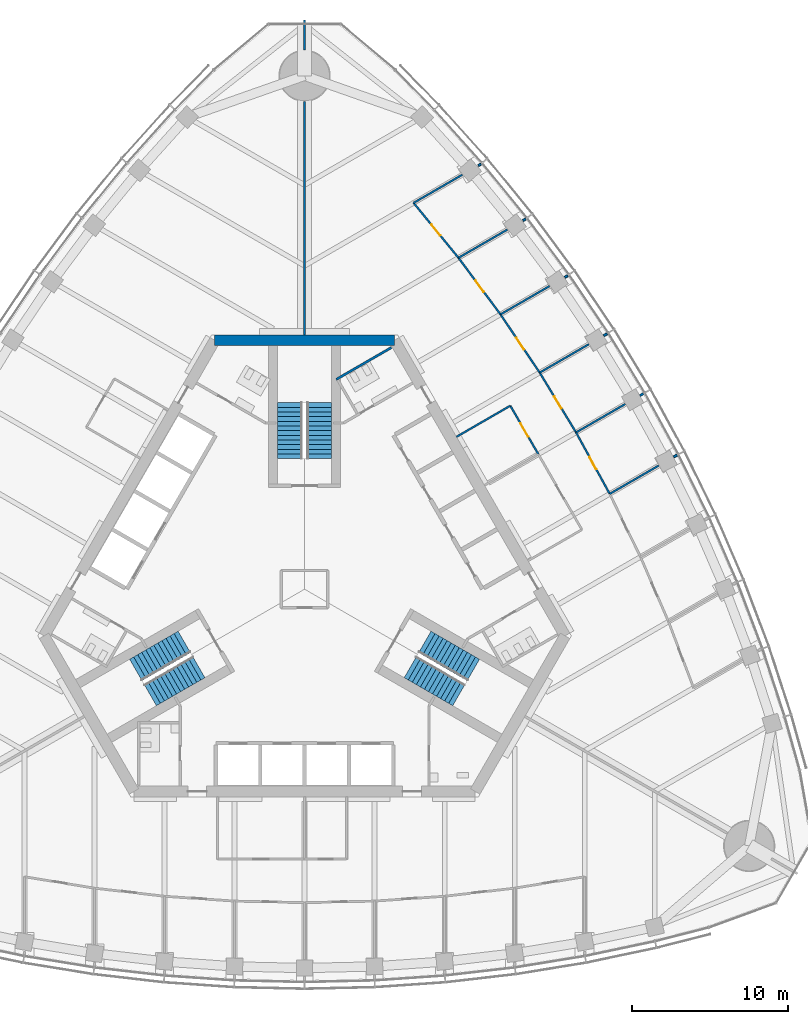
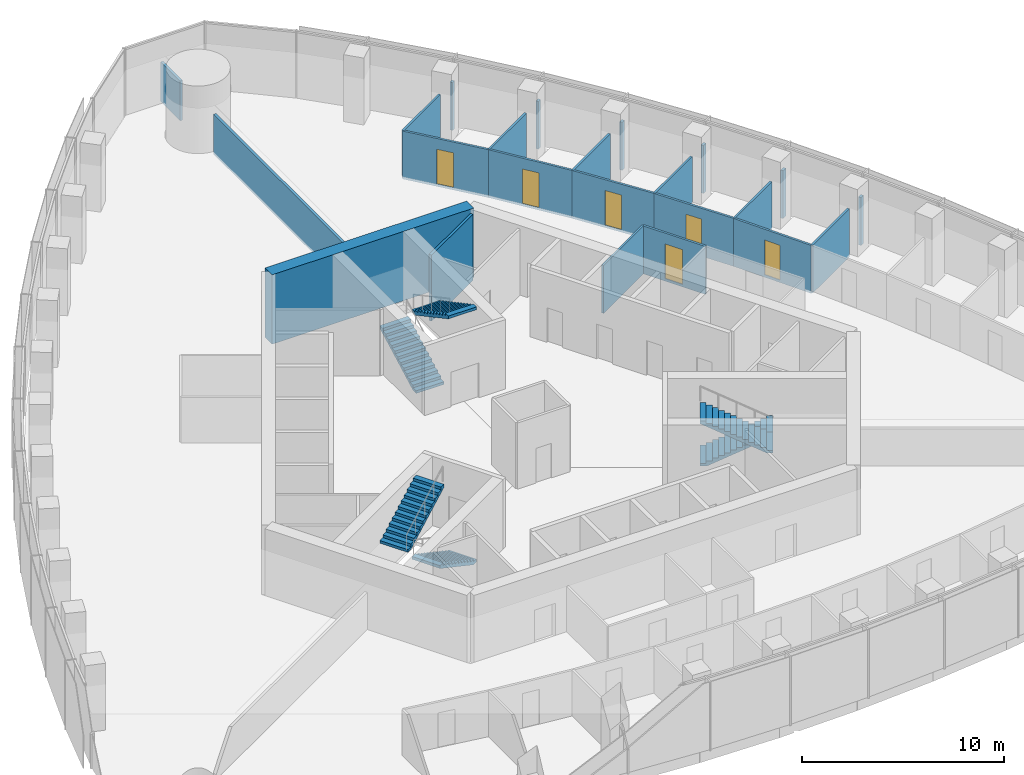
# One storey, part 14 of 19: 23 walls, 6 doors, 6 stair flights, 6 openings, 3 elements without a shape of their own.
"""IFC4 building model written with IfcOpenShell, lengths in metres."""

from ifc_helpers import new_model, si_unit, direction, frame, frame_2d, origin, place, context, subcontext, project, spatial, polyline, rectangle, outline, extrude, material, layer, layer_set, type_object, element, fill, aggregate, save


model = new_model("IFC4")

# Units and contexts
model_context = context("Model", 3, precision=1e-05, world=origin(), true_north=direction((0.0, 1.0)))
body_context = subcontext(model_context, "Body", "Model", "MODEL_VIEW")
ifc_project = project(units=[si_unit("LENGTHUNIT", "METRE"), si_unit("AREAUNIT", "SQUARE_METRE"), si_unit("VOLUMEUNIT", "CUBIC_METRE"), si_unit("PLANEANGLEUNIT", "RADIAN"), si_unit("MASSUNIT", "GRAM", prefix="KILO")], contexts=[model_context])

# Site, building, storey
site_placement = place(None, origin())
site = spatial("IfcSite", under=ifc_project, at=site_placement, CompositionType="ELEMENT")
building_placement = place(site_placement, origin())
building = spatial("IfcBuilding", under=site, at=building_placement, Name="Trefoil Bronze Tower", CompositionType="ELEMENT")
storey_placement = place(building_placement, frame((0.0, 0.0, 235.89990234375)))
storey = spatial("IfcBuildingStorey", under=building, at=storey_placement, Name="L54", CompositionType="ELEMENT", Elevation=235.89990234375)

# Wall
ifc_material_1 = material(Name="Concrete B80", Category="concrete")
ifc_layer_1 = layer(ifc_material_1, 0.699951171875)
ifc_layer_set_1 = layer_set([ifc_layer_1], Name="Core wall 700")
wall_type_1 = type_object("IfcWallType", Name="Core wall 700", PredefinedType="SHEAR", material=ifc_layer_set_1)
wall_1_placement = place(storey_placement, frame((5.7734375, 16.0, 0.0), z_axis=(0.0, 0.0, 1.0), x_axis=(-1.0, 0.0, 0.0)))
element("IfcWall", 1, at=wall_1_placement, inside=storey, type_object=wall_type_1, Name="Core short wall 2 L54", PredefinedType="SHEAR", context=body_context, shape_type="SweptSolid", body=[
    extrude(rectangle(XDim=11.546875, YDim=0.699951171875, at=frame_2d((5.7734375, 0.0))), origin(), (0.0, 0.0, 1.0), 4.2001953125),
])

# Wall, opening, door
ifc_material_2 = material(Name="Glazed partition", Category="glass")
ifc_layer_2 = layer(ifc_material_2, 0.1201171875)
ifc_layer_set_2 = layer_set([ifc_layer_2], Name="Glazed partition 120")
wall_type_2 = type_object("IfcWallType", Name="Glazed partition 120", PredefinedType="PARTITIONING", material=ifc_layer_set_2)
wall_2_placement = place(storey_placement, frame((15.025634765625, 8.675048828125, 0.0), z_axis=(0.0, 0.0, 1.0), x_axis=(-0.500012057535, 0.866018442252, 0.0)))
wall_2 = element("IfcWall", 2, at=wall_2_placement, inside=storey, type_object=wall_type_2, Name="Partition F2 L54", PredefinedType="PARTITIONING", context=body_context, shape_type="SweptSolid", body=[
    extrude(rectangle(XDim=3.60009765625, YDim=0.1201171875, at=frame_2d((1.800048828125, 0.0))), origin(), (0.0, 0.0, 1.0), 2.900146484375),
])
opening_1_placement = place(wall_2_placement, frame((1.300048828125, 0.0, 0.14990234375)))
opening_1 = element("IfcOpeningElement", 3, at=opening_1_placement, cuts=wall_2, Name="Opening D9", PredefinedType="OPENING", context=body_context, shape_type="SweptSolid", body=[
    extrude(rectangle(XDim=1.0, YDim=2.10009765625, at=frame_2d((0.5, 1.050048828125))), frame((0.0, 0.070068359375, 0.0), z_axis=(0.0, -1.0, 0.0), x_axis=(1.0, 0.0, 0.0)), (0.0, 0.0, 1.0), 0.14013671875),
])
ifc_material_3 = material(Name="Glazed timber door", Category="wood")
door_type_1 = type_object("IfcDoorType", Name="Meeting room door 1000", OperationType="SINGLE_SWING_LEFT", PredefinedType="DOOR", material=ifc_material_3)
door_1_placement = place(opening_1_placement, origin())
door_1 = element("IfcDoor", 4, at=door_1_placement, inside=storey, type_object=door_type_1, Name="Meeting room door F2 L54", OperationType="SINGLE_SWING_LEFT", OverallHeight=2.10009765625, OverallWidth=1.0, PredefinedType="DOOR", context=body_context, shape_type="SweptSolid", body=[
    extrude(rectangle(XDim=1.0, YDim=2.10009765625, at=frame_2d((0.5, 1.050048828125))), frame((0.0, 0.02490234375, 0.0), z_axis=(0.0, -1.0, 0.0), x_axis=(1.0, 0.0, 0.0)), (0.0, 0.0, 1.0), 0.050048828125),
])
fill(opening_1, door_1)

# Wall
wall_3_placement = place(storey_placement, frame((9.761474609375, 9.792724609375, 0.0), z_axis=(0.0, 0.0, 1.0), x_axis=(0.866026010844, 0.49999894854, 0.0)))
element("IfcWall", 5, at=wall_3_placement, inside=storey, type_object=wall_type_2, Name="Partition F2 L54", PredefinedType="PARTITIONING", context=body_context, shape_type="SweptSolid", body=[
    extrude(rectangle(XDim=4.0, YDim=0.1201171875, at=frame_2d((2.0, 0.0))), origin(), (0.0, 0.0, 1.0), 2.900146484375),
])

# Wall, opening, door
wall_4_placement = place(storey_placement, frame((17.450927734375, 10.075439453125, 0.0), z_axis=(0.0, 0.0, 1.0), x_axis=(-0.519790350351, 0.85429385558, 0.0)))
wall_4 = element("IfcWall", 6, at=wall_4_placement, inside=storey, type_object=wall_type_2, Name="Partition F2 L54", PredefinedType="PARTITIONING", context=body_context, shape_type="SweptSolid", body=[
    extrude(rectangle(XDim=4.5009765625, YDim=0.1201171875, at=frame_2d((2.25048828125, 0.0))), origin(), (0.0, 0.0, 1.0), 2.900146484375),
])
opening_2_placement = place(wall_4_placement, frame((1.800048828125, 0.0, 0.14990234375)))
opening_2 = element("IfcOpeningElement", 7, at=opening_2_placement, cuts=wall_4, Name="Opening D8", PredefinedType="OPENING", context=body_context, shape_type="SweptSolid", body=[
    extrude(rectangle(XDim=0.89990234375, YDim=2.10009765625, at=frame_2d((0.449951171875, 1.050048828125))), frame((0.0, 0.070068359375, 0.0), z_axis=(0.0, -1.0, 0.0), x_axis=(1.0, 0.0, 0.0)), (0.0, 0.0, 1.0), 0.14013671875),
])
ifc_material_4 = material(Name="Timber door", Category="wood")
door_type_2 = type_object("IfcDoorType", Name="Office door 900", OperationType="SINGLE_SWING_LEFT", PredefinedType="DOOR", material=ifc_material_4)
door_2_placement = place(opening_2_placement, frame((0.89990234375, 0.0, 0.0), z_axis=(0.0, 0.0, 1.0), x_axis=(-1.0, 0.0, 0.0)))
door_2 = element("IfcDoor", 8, at=door_2_placement, inside=storey, type_object=door_type_2, Name="Office door F2 L54", OperationType="SINGLE_SWING_RIGHT", OverallHeight=2.10009765625, OverallWidth=0.89990234375, PredefinedType="DOOR", context=body_context, shape_type="SweptSolid", body=[
    extrude(rectangle(XDim=0.89990234375, YDim=2.10009765625, at=frame_2d((0.449951171875, 1.050048828125))), frame((0.0, 0.02490234375, 0.0), z_axis=(0.0, -1.0, 0.0), x_axis=(1.0, 0.0, 0.0)), (0.0, 0.0, 1.0), 0.050048828125),
])
fill(opening_2, door_2)

wall_5_placement = place(storey_placement, frame((9.8916015625, 21.29931640625, 0.0), z_axis=(0.0, 0.0, 1.0), x_axis=(-0.632765292047, 0.774343647989, 0.0)))
wall_5 = element("IfcWall", 9, at=wall_5_placement, inside=storey, type_object=wall_type_2, Name="Partition F2 L54", PredefinedType="PARTITIONING", context=body_context, shape_type="SweptSolid", body=[
    extrude(rectangle(XDim=4.559326171875, YDim=0.1201171875, at=frame_2d((2.27978515625, 0.0))), origin(), (0.0, 0.0, 1.0), 2.900146484375),
])
opening_3_placement = place(wall_5_placement, frame((1.85009765625, 0.0, 0.14990234375)))
opening_3 = element("IfcOpeningElement", 10, at=opening_3_placement, cuts=wall_5, Name="Opening D8", PredefinedType="OPENING", context=body_context, shape_type="SweptSolid", body=[
    extrude(rectangle(XDim=0.89990234375, YDim=2.10009765625, at=frame_2d((0.449951171875, 1.050048828125))), frame((0.0, 0.070068359375, 0.0), z_axis=(0.0, -1.0, 0.0), x_axis=(1.0, 0.0, 0.0)), (0.0, 0.0, 1.0), 0.14013671875),
])
door_3_placement = place(opening_3_placement, frame((0.89990234375, 0.0, 0.0), z_axis=(0.0, 0.0, 1.0), x_axis=(-1.0, 0.0, 0.0)))
door_3 = element("IfcDoor", 11, at=door_3_placement, inside=storey, type_object=door_type_2, Name="Office door F2 L54", OperationType="SINGLE_SWING_LEFT", OverallHeight=2.10009765625, OverallWidth=0.89990234375, PredefinedType="DOOR", context=body_context, shape_type="SweptSolid", body=[
    extrude(rectangle(XDim=0.89990234375, YDim=2.10009765625, at=frame_2d((0.449951171875, 1.050048828125))), frame((0.0, 0.02490234375, 0.0), z_axis=(0.0, -1.0, 0.0), x_axis=(1.0, 0.0, 0.0)), (0.0, 0.0, 1.0), 0.050048828125),
])
fill(opening_3, door_3)

wall_6_placement = place(storey_placement, frame((15.111328125, 13.920654296875, 0.0), z_axis=(0.0, 0.0, 1.0), x_axis=(-0.558466624917, 0.829526991034, 0.0)))
wall_6 = element("IfcWall", 12, at=wall_6_placement, inside=storey, type_object=wall_type_2, Name="Partition F2 L54", PredefinedType="PARTITIONING", context=body_context, shape_type="SweptSolid", body=[
    extrude(rectangle(XDim=4.5107421875, YDim=0.1201171875, at=frame_2d((2.25537109375, 0.0))), origin(), (0.0, 0.0, 1.0), 2.900146484375),
])
opening_4_placement = place(wall_6_placement, frame((1.800048828125, 0.0, 0.14990234375)))
opening_4 = element("IfcOpeningElement", 13, at=opening_4_placement, cuts=wall_6, Name="Opening D8", PredefinedType="OPENING", context=body_context, shape_type="SweptSolid", body=[
    extrude(rectangle(XDim=0.89990234375, YDim=2.10009765625, at=frame_2d((0.449951171875, 1.050048828125))), frame((0.0, 0.070068359375, 0.0), z_axis=(0.0, -1.0, 0.0), x_axis=(1.0, 0.0, 0.0)), (0.0, 0.0, 1.0), 0.14013671875),
])
door_4_placement = place(opening_4_placement, frame((0.89990234375, 0.0, 0.0), z_axis=(0.0, 0.0, 1.0), x_axis=(-1.0, 0.0, 0.0)))
door_4 = element("IfcDoor", 14, at=door_4_placement, inside=storey, type_object=door_type_2, Name="Office door F2 L54", OperationType="SINGLE_SWING_RIGHT", OverallHeight=2.10009765625, OverallWidth=0.89990234375, PredefinedType="DOOR", context=body_context, shape_type="SweptSolid", body=[
    extrude(rectangle(XDim=0.89990234375, YDim=2.10009765625, at=frame_2d((0.449951171875, 1.050048828125))), frame((0.0, 0.02490234375, 0.0), z_axis=(0.0, -1.0, 0.0), x_axis=(1.0, 0.0, 0.0)), (0.0, 0.0, 1.0), 0.050048828125),
])
fill(opening_4, door_4)

wall_7_placement = place(storey_placement, frame((12.59228515625, 17.662353515625, 0.0), z_axis=(0.0, 0.0, 1.0), x_axis=(-0.596173167565, 0.802855873912, 0.0)))
wall_7 = element("IfcWall", 15, at=wall_7_placement, inside=storey, type_object=wall_type_2, Name="Partition F2 L54", PredefinedType="PARTITIONING", context=body_context, shape_type="SweptSolid", body=[
    extrude(rectangle(XDim=4.530029296875, YDim=0.1201171875, at=frame_2d((2.26513671875, 0.0))), origin(), (0.0, 0.0, 1.0), 2.900146484375),
])
opening_5_placement = place(wall_7_placement, frame((1.800048828125, 0.0, 0.14990234375)))
opening_5 = element("IfcOpeningElement", 16, at=opening_5_placement, cuts=wall_7, Name="Opening D8", PredefinedType="OPENING", context=body_context, shape_type="SweptSolid", body=[
    extrude(rectangle(XDim=0.89990234375, YDim=2.10009765625, at=frame_2d((0.449951171875, 1.050048828125))), frame((0.0, 0.070068359375, 0.0), z_axis=(0.0, -1.0, 0.0), x_axis=(1.0, 0.0, 0.0)), (0.0, 0.0, 1.0), 0.14013671875),
])
door_5_placement = place(opening_5_placement, frame((0.89990234375, 0.0, 0.0), z_axis=(0.0, 0.0, 1.0), x_axis=(-1.0, 0.0, 0.0)))
door_5 = element("IfcDoor", 17, at=door_5_placement, inside=storey, type_object=door_type_2, Name="Office door F2 L54", OperationType="SINGLE_SWING_RIGHT", OverallHeight=2.10009765625, OverallWidth=0.89990234375, PredefinedType="DOOR", context=body_context, shape_type="SweptSolid", body=[
    extrude(rectangle(XDim=0.89990234375, YDim=2.10009765625, at=frame_2d((0.449951171875, 1.050048828125))), frame((0.0, 0.02490234375, 0.0), z_axis=(0.0, -1.0, 0.0), x_axis=(1.0, 0.0, 0.0)), (0.0, 0.0, 1.0), 0.050048828125),
])
fill(opening_5, door_5)

wall_8_placement = place(storey_placement, frame((19.611328125, 6.12646484375, 0.0), z_axis=(0.0, 0.0, 1.0), x_axis=(-0.479949984371, 0.877295852322, 0.0)))
wall_8 = element("IfcWall", 18, at=wall_8_placement, inside=storey, type_object=wall_type_2, Name="Partition F2 L54", PredefinedType="PARTITIONING", context=body_context, shape_type="SweptSolid", body=[
    extrude(rectangle(XDim=4.501220703125, YDim=0.1201171875, at=frame_2d((2.25048828125, 0.0))), origin(), (0.0, 0.0, 1.0), 2.900146484375),
])
opening_6_placement = place(wall_8_placement, frame((1.800048828125, 0.0, 0.14990234375)))
opening_6 = element("IfcOpeningElement", 19, at=opening_6_placement, cuts=wall_8, Name="Opening D8", PredefinedType="OPENING", context=body_context, shape_type="SweptSolid", body=[
    extrude(rectangle(XDim=0.89990234375, YDim=2.10009765625, at=frame_2d((0.449951171875, 1.050048828125))), frame((0.0, 0.070068359375, 0.0), z_axis=(0.0, -1.0, 0.0), x_axis=(1.0, 0.0, 0.0)), (0.0, 0.0, 1.0), 0.14013671875),
])
door_6_placement = place(opening_6_placement, frame((0.89990234375, 0.0, 0.0), z_axis=(0.0, 0.0, 1.0), x_axis=(-1.0, 0.0, 0.0)))
door_6 = element("IfcDoor", 20, at=door_6_placement, inside=storey, type_object=door_type_2, Name="Office door F2 L54", OperationType="SINGLE_SWING_RIGHT", OverallHeight=2.10009765625, OverallWidth=0.89990234375, PredefinedType="DOOR", context=body_context, shape_type="SweptSolid", body=[
    extrude(rectangle(XDim=0.89990234375, YDim=2.10009765625, at=frame_2d((0.449951171875, 1.050048828125))), frame((0.0, 0.02490234375, 0.0), z_axis=(0.0, -1.0, 0.0), x_axis=(1.0, 0.0, 0.0)), (0.0, 0.0, 1.0), 0.050048828125),
])
fill(opening_6, door_6)

# Walls
wall_9_placement = place(storey_placement, frame((17.450927734375, 10.075439453125, 0.0), z_axis=(0.0, 0.0, 1.0), x_axis=(0.866058436235, 0.499942781752, 0.0)))
element("IfcWall", 21, at=wall_9_placement, inside=storey, type_object=wall_type_2, Name="Partition F2 L54", PredefinedType="PARTITIONING", context=body_context, shape_type="SweptSolid", body=[
    extrude(rectangle(XDim=3.64501953125, YDim=0.1201171875, at=frame_2d((1.822509765625, 0.0))), origin(), (0.0, 0.0, 1.0), 2.900146484375),
])
wall_10_placement = place(storey_placement, frame((9.8916015625, 21.29931640625, 0.0), z_axis=(0.0, 0.0, 1.0), x_axis=(0.866013204505, 0.500021129177, 0.0)))
element("IfcWall", 22, at=wall_10_placement, inside=storey, type_object=wall_type_2, Name="Partition F2 L54", PredefinedType="PARTITIONING", context=body_context, shape_type="SweptSolid", body=[
    extrude(rectangle(XDim=3.632080078125, YDim=0.1201171875, at=frame_2d((1.81591796875, 0.0))), origin(), (0.0, 0.0, 1.0), 2.900146484375),
])
wall_11_placement = place(storey_placement, frame((7.006591796875, 24.829833984375, 0.0), z_axis=(0.0, 0.0, 1.0), x_axis=(0.866002603656, 0.500039488902, 0.0)))
element("IfcWall", 23, at=wall_11_placement, inside=storey, type_object=wall_type_2, Name="Partition F2 L54", PredefinedType="PARTITIONING", context=body_context, shape_type="SweptSolid", body=[
    extrude(rectangle(XDim=3.621826171875, YDim=0.1201171875, at=frame_2d((1.81103515625, 0.0))), origin(), (0.0, 0.0, 1.0), 2.900146484375),
])
wall_12_placement = place(storey_placement, frame((15.111328125, 13.920654296875, 0.0), z_axis=(0.0, 0.0, 1.0), x_axis=(0.866032721818, 0.499987324581, 0.0)))
element("IfcWall", 24, at=wall_12_placement, inside=storey, type_object=wall_type_2, Name="Partition F2 L54", PredefinedType="PARTITIONING", context=body_context, shape_type="SweptSolid", body=[
    extrude(rectangle(XDim=3.6435546875, YDim=0.1201171875, at=frame_2d((1.82177734375, 0.0))), origin(), (0.0, 0.0, 1.0), 2.900146484375),
])
wall_13_placement = place(storey_placement, frame((12.59228515625, 17.662353515625, 0.0), z_axis=(0.0, 0.0, 1.0), x_axis=(0.865996778659, 0.500049576894, 0.0)))
element("IfcWall", 25, at=wall_13_placement, inside=storey, type_object=wall_type_2, Name="Partition F2 L54", PredefinedType="PARTITIONING", context=body_context, shape_type="SweptSolid", body=[
    extrude(rectangle(XDim=3.639404296875, YDim=0.1201171875, at=frame_2d((1.81982421875, 0.0))), origin(), (0.0, 0.0, 1.0), 2.900146484375),
])
wall_14_placement = place(storey_placement, frame((19.611328125, 6.12646484375, 0.0), z_axis=(0.0, 0.0, 1.0), x_axis=(0.866032721818, 0.499987324581, 0.0)))
element("IfcWall", 26, at=wall_14_placement, inside=storey, type_object=wall_type_2, Name="Partition F2 L54", PredefinedType="PARTITIONING", context=body_context, shape_type="SweptSolid", body=[
    extrude(rectangle(XDim=3.6435546875, YDim=0.1201171875, at=frame_2d((1.82177734375, 0.0))), origin(), (0.0, 0.0, 1.0), 2.900146484375),
])
ifc_material_5 = material(Name="Gypsum board on steel studs", Category="steel")
ifc_layer_3 = layer(ifc_material_5, 0.14990234375)
ifc_layer_set_3 = layer_set([ifc_layer_3], Name="Partition 150")
wall_type_3 = type_object("IfcWallType", Name="Partition 150", PredefinedType="PARTITIONING", material=ifc_layer_set_3)
wall_15_placement = place(storey_placement, frame((2.03125, 13.48193359375, 0.0), z_axis=(0.0, 0.0, 1.0), x_axis=(0.866050731258, 0.499956128963, 0.0)))
element("IfcWall", 27, at=wall_15_placement, inside=storey, type_object=wall_type_3, Name="WC partition WC (men) L54", PredefinedType="PARTITIONING", context=body_context, shape_type="SweptSolid", body=[
    extrude(rectangle(XDim=4.099853515625, YDim=0.14990234375, at=frame_2d((2.0498046875, 0.0))), origin(), (0.0, 0.0, 1.0), 4.0),
])
wall_16_placement = place(storey_placement, frame((14.038818359375, 23.69384765625, 0.0), z_axis=(0.0, 0.0, 1.0), x_axis=(0.866047486323, 0.49996174997, 0.0)))
element("IfcWall", 28, at=wall_16_placement, inside=storey, type_object=wall_type_3, Name="Partition F2 L54", PredefinedType="PARTITIONING", context=body_context, shape_type="SweptSolid", body=[
    extrude(rectangle(XDim=0.2060546875, YDim=0.14990234375, at=frame_2d((0.10302734375, 0.0))), origin(), (0.0, 0.0, 1.0), 2.900146484375),
])
wall_17_placement = place(storey_placement, frame((11.166015625, 27.2314453125, 0.0), z_axis=(0.0, 0.0, 1.0), x_axis=(0.866439280089, 0.499282459054, 0.0)))
element("IfcWall", 29, at=wall_17_placement, inside=storey, type_object=wall_type_3, Name="Partition F2 L54", PredefinedType="PARTITIONING", context=body_context, shape_type="SweptSolid", body=[
    extrude(rectangle(XDim=0.192138671875, YDim=0.14990234375, at=frame_2d((0.09619140625, 0.0))), origin(), (0.0, 0.0, 1.0), 2.900146484375),
])
wall_18_placement = place(storey_placement, frame((19.2265625, 16.296630859375, 0.0), z_axis=(0.0, 0.0, 1.0), x_axis=(0.866135455726, 0.499809335981, 0.0)))
element("IfcWall", 30, at=wall_18_placement, inside=storey, type_object=wall_type_3, Name="Partition F2 L54", PredefinedType="PARTITIONING", context=body_context, shape_type="SweptSolid", body=[
    extrude(rectangle(XDim=0.2431640625, YDim=0.14990234375, at=frame_2d((0.12158203125, 0.0))), origin(), (0.0, 0.0, 1.0), 2.900146484375),
])
wall_19_placement = place(storey_placement, frame((16.724609375, 20.04833984375, 0.0), z_axis=(0.0, 0.0, 1.0), x_axis=(0.866149170119, 0.499785569122, 0.0)))
element("IfcWall", 31, at=wall_19_placement, inside=storey, type_object=wall_type_3, Name="Partition F2 L54", PredefinedType="PARTITIONING", context=body_context, shape_type="SweptSolid", body=[
    extrude(rectangle(XDim=0.22314453125, YDim=0.14990234375, at=frame_2d((0.111572265625, 0.0))), origin(), (0.0, 0.0, 1.0), 2.900146484375),
])
wall_20_placement = place(storey_placement, frame((21.54638671875, 12.439697265625, 0.0), z_axis=(0.0, 0.0, 1.0), x_axis=(0.866032814021, 0.499987164874, 0.0)))
element("IfcWall", 32, at=wall_20_placement, inside=storey, type_object=wall_type_3, Name="Partition F2 L54", PredefinedType="PARTITIONING", context=body_context, shape_type="SweptSolid", body=[
    extrude(rectangle(XDim=0.26611328125, YDim=0.14990234375, at=frame_2d((0.133056640625, 0.0))), origin(), (0.0, 0.0, 1.0), 2.900146484375),
])
wall_21_placement = place(storey_placement, frame((23.7265625, 8.50244140625, 0.0), z_axis=(0.0, 0.0, 1.0), x_axis=(0.866135455726, 0.499809335981, 0.0)))
element("IfcWall", 33, at=wall_21_placement, inside=storey, type_object=wall_type_3, Name="Partition F2 L54", PredefinedType="PARTITIONING", context=body_context, shape_type="SweptSolid", body=[
    extrude(rectangle(XDim=0.2431640625, YDim=0.14990234375, at=frame_2d((0.12158203125, 0.0))), origin(), (0.0, 0.0, 1.0), 2.900146484375),
])
ifc_material_6 = material(Name="Gypsum board on steel studs", Category="steel")
ifc_layer_4 = layer(ifc_material_6, 0.14990234375)
ifc_layer_set_4 = layer_set([ifc_layer_4], Name="Party wall 150")
wall_type_4 = type_object("IfcWallType", Name="Party wall 150", PredefinedType="PARTITIONING", material=ifc_layer_set_4)
wall_22_placement = place(storey_placement, frame((0.0, 16.35009765625, 0.0), z_axis=(0.0, 0.0, 1.0), x_axis=(0.0, 1.0, 0.0)))
element("IfcWall", 34, at=wall_22_placement, inside=storey, type_object=wall_type_4, Name="Party wall K2 L54", PredefinedType="PARTITIONING", context=body_context, shape_type="SweptSolid", body=[
    extrude(rectangle(XDim=15.0, YDim=0.14990234375, at=frame_2d((7.5, 0.0))), origin(), (0.0, 0.0, 1.0), 2.400146484375),
])
wall_23_placement = place(storey_placement, frame((0.0, 34.64990234375, 0.0), z_axis=(0.0, 0.0, 1.0), x_axis=(0.0, 1.0, 0.0)))
element("IfcWall", 35, at=wall_23_placement, inside=storey, type_object=wall_type_4, Name="Party wall K2 L54", PredefinedType="PARTITIONING", context=body_context, shape_type="SweptSolid", body=[
    extrude(rectangle(XDim=1.934814453125, YDim=0.14990234375, at=frame_2d((0.96728515625, 0.0))), origin(), (0.0, 0.0, 1.0), 2.400146484375),
])

# Stair, stair flights
ifc_material_7 = material(Name="Precast concrete B80", Category="concrete")
stair_type = type_object("IfcStairType", Name="Exit stair 26 risers", PredefinedType="HALF_TURN_STAIR", material=ifc_material_7)
stair_1_placement = place(storey_placement, origin())
stair_1 = element("IfcStair", 36, at=stair_1_placement, inside=storey, type_object=stair_type, Name="Stair ST1 L54", PredefinedType="HALF_TURN_STAIR")
ifc_material_8 = material(Name="Precast concrete B80", Category="concrete")
stair_flight_type = type_object("IfcStairFlightType", Name="Stair flight 1600", PredefinedType="STRAIGHT", material=ifc_material_8)
stair_flight_1_placement = place(storey_placement, frame((7.728515625, -3.39404296875, 0.0), z_axis=(0.0, 0.0, 1.0), x_axis=(0.866025403784, -0.5, 0.0)))
stair_flight_1 = element("IfcStairFlight", 37, at=stair_flight_1_placement, type_object=stair_flight_type, Name="ST1 flight 1", NumberOfRisers=13, NumberOfTreads=12, PredefinedType="STRAIGHT", RiserHeight=0.161538462, TreadLength=0.3, context=body_context, shape_type="SweptSolid", body=[
    extrude(outline(polyline([(0.0, 0.0), (0.0, 0.16162109375), (0.300048828125, 0.16162109375), (0.300048828125, 0.322998046875), (0.60009765625, 0.322998046875), (0.60009765625, 0.484619140625), (0.89990234375, 0.484619140625), (0.89990234375, 0.646240234375), (1.199951171875, 0.646240234375), (1.199951171875, 0.8076171875), (1.5, 0.8076171875), (1.5, 0.96923828125), (1.800048828125, 0.96923828125), (1.800048828125, 1.130859375), (2.10009765625, 1.130859375), (2.10009765625, 1.292236328125), (2.39990234375, 1.292236328125), (2.39990234375, 1.453857421875), (2.699951171875, 1.453857421875), (2.699951171875, 1.615478515625), (3.0, 1.615478515625), (3.0, 1.77685546875), (3.300048828125, 1.77685546875), (3.300048828125, 1.9384765625), (3.60009765625, 1.9384765625), (3.60009765625, 2.10009765625), (3.60009765625, 1.768310546875), (0.316162109375, 0.0), (0.0, 0.0)])), frame((0.0, 0.800048828125, 0.0), z_axis=(0.0, -1.0, 0.0), x_axis=(1.0, 0.0, 0.0)), (0.0, 0.0, 1.0), 1.60009765625),
])
stair_flight_2_placement = place(storey_placement, frame((9.921142578125, -6.796142578125, 2.10009765625), z_axis=(0.0, 0.0, 1.0), x_axis=(-0.866025403784, 0.5, 0.0)))
stair_flight_2 = element("IfcStairFlight", 38, at=stair_flight_2_placement, type_object=stair_flight_type, Name="ST1 flight 2", NumberOfRisers=13, NumberOfTreads=12, PredefinedType="STRAIGHT", RiserHeight=0.161538462, TreadLength=0.3, context=body_context, shape_type="SweptSolid", body=[
    extrude(outline(polyline([(0.0, 0.0), (0.0, 0.16162109375), (0.300048828125, 0.16162109375), (0.300048828125, 0.322998046875), (0.60009765625, 0.322998046875), (0.60009765625, 0.484619140625), (0.89990234375, 0.484619140625), (0.89990234375, 0.646240234375), (1.199951171875, 0.646240234375), (1.199951171875, 0.8076171875), (1.5, 0.8076171875), (1.5, 0.96923828125), (1.800048828125, 0.96923828125), (1.800048828125, 1.130859375), (2.10009765625, 1.130859375), (2.10009765625, 1.292236328125), (2.39990234375, 1.292236328125), (2.39990234375, 1.453857421875), (2.699951171875, 1.453857421875), (2.699951171875, 1.615478515625), (3.0, 1.615478515625), (3.0, 1.77685546875), (3.300048828125, 1.77685546875), (3.300048828125, 1.9384765625), (3.60009765625, 1.9384765625), (3.60009765625, 2.10009765625), (3.60009765625, 1.768310546875), (0.316162109375, 0.0), (0.0, 0.0)])), frame((0.0, 0.800048828125, 0.0), z_axis=(0.0, -1.0, 0.0), x_axis=(1.0, 0.0, 0.0)), (0.0, 0.0, 1.0), 1.60009765625),
])
aggregate(stair_1, [stair_flight_1, stair_flight_2])

stair_2_placement = place(storey_placement, origin())
stair_2 = element("IfcStair", 39, at=stair_2_placement, inside=storey, type_object=stair_type, Name="Stair ST2 L54", PredefinedType="HALF_TURN_STAIR")
stair_flight_3_placement = place(storey_placement, frame((-0.925048828125, 8.389892578125, 0.0), z_axis=(0.0, 0.0, 1.0), x_axis=(0.0, 1.0, 0.0)))
stair_flight_3 = element("IfcStairFlight", 40, at=stair_flight_3_placement, type_object=stair_flight_type, Name="ST2 flight 1", NumberOfRisers=13, NumberOfTreads=12, PredefinedType="STRAIGHT", RiserHeight=0.161538462, TreadLength=0.3, context=body_context, shape_type="SweptSolid", body=[
    extrude(outline(polyline([(0.0, 0.0), (0.0, 0.16162109375), (0.300048828125, 0.16162109375), (0.300048828125, 0.322998046875), (0.60009765625, 0.322998046875), (0.60009765625, 0.484619140625), (0.89990234375, 0.484619140625), (0.89990234375, 0.646240234375), (1.199951171875, 0.646240234375), (1.199951171875, 0.8076171875), (1.5, 0.8076171875), (1.5, 0.96923828125), (1.800048828125, 0.96923828125), (1.800048828125, 1.130859375), (2.10009765625, 1.130859375), (2.10009765625, 1.292236328125), (2.39990234375, 1.292236328125), (2.39990234375, 1.453857421875), (2.699951171875, 1.453857421875), (2.699951171875, 1.615478515625), (3.0, 1.615478515625), (3.0, 1.77685546875), (3.300048828125, 1.77685546875), (3.300048828125, 1.9384765625), (3.60009765625, 1.9384765625), (3.60009765625, 2.10009765625), (3.60009765625, 1.768310546875), (0.316162109375, 0.0), (0.0, 0.0)])), frame((0.0, 0.800048828125, 0.0), z_axis=(0.0, -1.0, 0.0), x_axis=(1.0, 0.0, 0.0)), (0.0, 0.0, 1.0), 1.60009765625),
])
stair_flight_4_placement = place(storey_placement, frame((0.925048828125, 11.989990234375, 2.10009765625), z_axis=(0.0, 0.0, 1.0), x_axis=(0.0, -1.0, 0.0)))
stair_flight_4 = element("IfcStairFlight", 41, at=stair_flight_4_placement, type_object=stair_flight_type, Name="ST2 flight 2", NumberOfRisers=13, NumberOfTreads=12, PredefinedType="STRAIGHT", RiserHeight=0.161538462, TreadLength=0.3, context=body_context, shape_type="SweptSolid", body=[
    extrude(outline(polyline([(0.0, 0.0), (0.0, 0.16162109375), (0.300048828125, 0.16162109375), (0.300048828125, 0.322998046875), (0.60009765625, 0.322998046875), (0.60009765625, 0.484619140625), (0.89990234375, 0.484619140625), (0.89990234375, 0.646240234375), (1.199951171875, 0.646240234375), (1.199951171875, 0.8076171875), (1.5, 0.8076171875), (1.5, 0.96923828125), (1.800048828125, 0.96923828125), (1.800048828125, 1.130859375), (2.10009765625, 1.130859375), (2.10009765625, 1.292236328125), (2.39990234375, 1.292236328125), (2.39990234375, 1.453857421875), (2.699951171875, 1.453857421875), (2.699951171875, 1.615478515625), (3.0, 1.615478515625), (3.0, 1.77685546875), (3.300048828125, 1.77685546875), (3.300048828125, 1.9384765625), (3.60009765625, 1.9384765625), (3.60009765625, 2.10009765625), (3.60009765625, 1.768310546875), (0.316162109375, 0.0), (0.0, 0.0)])), frame((0.0, 0.800048828125, 0.0), z_axis=(0.0, -1.0, 0.0), x_axis=(1.0, 0.0, 0.0)), (0.0, 0.0, 1.0), 1.60009765625),
])
aggregate(stair_2, [stair_flight_3, stair_flight_4])

stair_3_placement = place(storey_placement, origin())
stair_3 = element("IfcStair", 42, at=stair_3_placement, inside=storey, type_object=stair_type, Name="Stair ST3 L54", PredefinedType="HALF_TURN_STAIR")
stair_flight_5_placement = place(storey_placement, frame((-6.803466796875, -4.99609375, 0.0), z_axis=(0.0, 0.0, 1.0), x_axis=(-0.866025403784, -0.5, 0.0)))
stair_flight_5 = element("IfcStairFlight", 43, at=stair_flight_5_placement, type_object=stair_flight_type, Name="ST3 flight 1", NumberOfRisers=13, NumberOfTreads=12, PredefinedType="STRAIGHT", RiserHeight=0.161538462, TreadLength=0.3, context=body_context, shape_type="SweptSolid", body=[
    extrude(outline(polyline([(0.0, 0.0), (0.0, 0.16162109375), (0.300048828125, 0.16162109375), (0.300048828125, 0.322998046875), (0.60009765625, 0.322998046875), (0.60009765625, 0.484619140625), (0.89990234375, 0.484619140625), (0.89990234375, 0.646240234375), (1.199951171875, 0.646240234375), (1.199951171875, 0.8076171875), (1.5, 0.8076171875), (1.5, 0.96923828125), (1.800048828125, 0.96923828125), (1.800048828125, 1.130859375), (2.10009765625, 1.130859375), (2.10009765625, 1.292236328125), (2.39990234375, 1.292236328125), (2.39990234375, 1.453857421875), (2.699951171875, 1.453857421875), (2.699951171875, 1.615478515625), (3.0, 1.615478515625), (3.0, 1.77685546875), (3.300048828125, 1.77685546875), (3.300048828125, 1.9384765625), (3.60009765625, 1.9384765625), (3.60009765625, 2.10009765625), (3.60009765625, 1.768310546875), (0.316162109375, 0.0), (0.0, 0.0)])), frame((0.0, 0.800048828125, 0.0), z_axis=(0.0, -1.0, 0.0), x_axis=(1.0, 0.0, 0.0)), (0.0, 0.0, 1.0), 1.60009765625),
])
stair_flight_6_placement = place(storey_placement, frame((-10.84619140625, -5.19384765625, 2.10009765625), z_axis=(0.0, 0.0, 1.0), x_axis=(0.866025403784, 0.5, 0.0)))
stair_flight_6 = element("IfcStairFlight", 44, at=stair_flight_6_placement, type_object=stair_flight_type, Name="ST3 flight 2", NumberOfRisers=13, NumberOfTreads=12, PredefinedType="STRAIGHT", RiserHeight=0.161538462, TreadLength=0.3, context=body_context, shape_type="SweptSolid", body=[
    extrude(outline(polyline([(0.0, 0.0), (0.0, 0.16162109375), (0.300048828125, 0.16162109375), (0.300048828125, 0.322998046875), (0.60009765625, 0.322998046875), (0.60009765625, 0.484619140625), (0.89990234375, 0.484619140625), (0.89990234375, 0.646240234375), (1.199951171875, 0.646240234375), (1.199951171875, 0.8076171875), (1.5, 0.8076171875), (1.5, 0.96923828125), (1.800048828125, 0.96923828125), (1.800048828125, 1.130859375), (2.10009765625, 1.130859375), (2.10009765625, 1.292236328125), (2.39990234375, 1.292236328125), (2.39990234375, 1.453857421875), (2.699951171875, 1.453857421875), (2.699951171875, 1.615478515625), (3.0, 1.615478515625), (3.0, 1.77685546875), (3.300048828125, 1.77685546875), (3.300048828125, 1.9384765625), (3.60009765625, 1.9384765625), (3.60009765625, 2.10009765625), (3.60009765625, 1.768310546875), (0.316162109375, 0.0), (0.0, 0.0)])), frame((0.0, 0.800048828125, 0.0), z_axis=(0.0, -1.0, 0.0), x_axis=(1.0, 0.0, 0.0)), (0.0, 0.0, 1.0), 1.60009765625),
])
aggregate(stair_3, [stair_flight_5, stair_flight_6])

save(model, "model.ifc")
